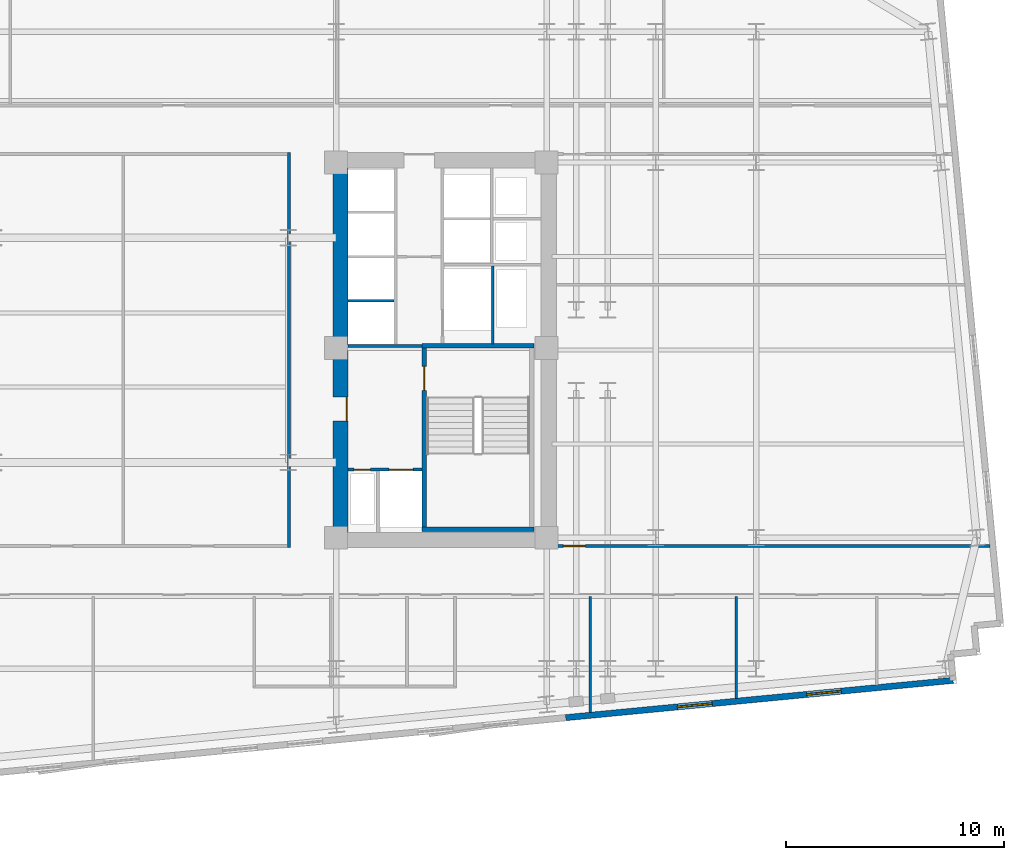
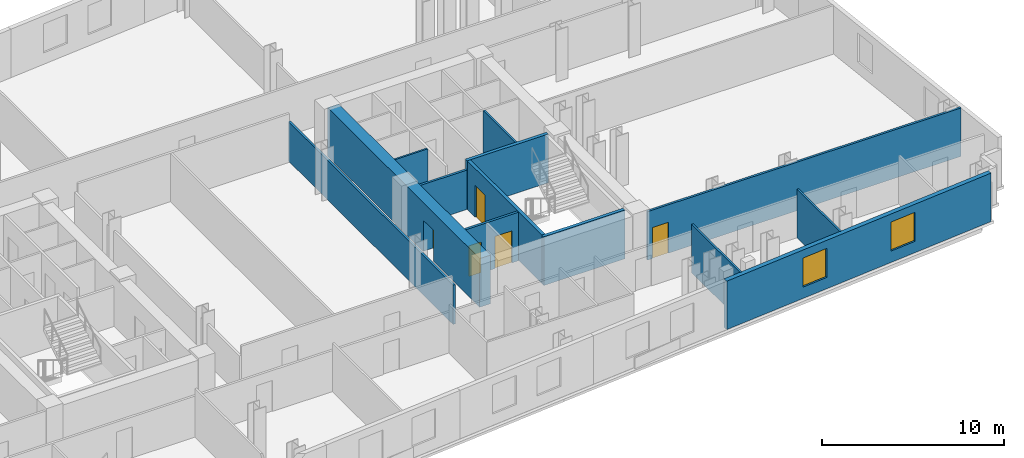
# One storey, part 6 of 10: 13 walls, 5 doors, 2 windows, 7 openings.
"""IFC4 building model written with IfcOpenShell, lengths in metres."""

from ifc_helpers import new_model, si_unit, direction, frame, frame_2d, origin, place, context, subcontext, project, spatial, rectangle, extrude, material, layer, layer_set, type_object, element, fill, save


model = new_model("IFC4")

# Units and contexts
model_context = context("Model", 3, precision=1e-05, world=origin(), true_north=direction((0.0, 1.0)))
body_context = subcontext(model_context, "Body", "Model", "MODEL_VIEW")
ifc_project = project(units=[si_unit("LENGTHUNIT", "METRE"), si_unit("AREAUNIT", "SQUARE_METRE"), si_unit("VOLUMEUNIT", "CUBIC_METRE"), si_unit("PLANEANGLEUNIT", "RADIAN"), si_unit("MASSUNIT", "GRAM", prefix="KILO")], contexts=[model_context])

# Site, building, storey
site_placement = place(None, origin())
site = spatial("IfcSite", under=ifc_project, at=site_placement, CompositionType="ELEMENT")
building_placement = place(site_placement, origin())
building = spatial("IfcBuilding", under=site, at=building_placement, Name="Velakula Bourse", CompositionType="ELEMENT")
storey_placement = place(building_placement, frame((0.0, 0.0, 91.449951171875)))
storey = spatial("IfcBuildingStorey", under=building, at=storey_placement, Name="L24", CompositionType="ELEMENT", Elevation=91.449951171875)

# Wall, opening, door
ifc_material_1 = material(Name="Concrete M50 (fck 50 MPa)", Category="concrete")
ifc_layer_1 = layer(ifc_material_1, 0.2099609375, Name="Concrete M50 (fck 50 MPa)", Category="concrete")
ifc_layer_set_1 = layer_set([ifc_layer_1], Name="Concrete M50 (fck 50 MPa)")
wall_type_1 = type_object("IfcWallType", Name="WL-CORE-210", PredefinedType="SHEAR", material=ifc_layer_set_1)
wall_1_placement = place(storey_placement, frame((12.9951171875, -8.10009765625, 0.0), z_axis=(0.0, 0.0, 1.0), x_axis=(0.0, 1.0, 0.0)))
wall_1 = element("IfcWall", 1, at=wall_1_placement, inside=storey, type_object=wall_type_1, Name="L24 Core E Stairwell Shear Wall IN", PredefinedType="SHEAR", context=body_context, shape_type="SweptSolid", body=[
    extrude(rectangle(XDim=8.2001953125, YDim=0.2099609375, at=frame_2d((4.10009765625, 0.0))), origin(), (0.0, 0.0, 1.0), 3.27001953125),
])
opening_1_placement = place(wall_1_placement, frame((6.25, 0.0, 0.0)))
opening_1 = element("IfcOpeningElement", 2, at=opening_1_placement, cuts=wall_1, Name="Opening D-STE1", PredefinedType="OPENING", context=body_context, shape_type="SweptSolid", body=[
    extrude(rectangle(XDim=1.10009765625, YDim=2.14990234375, at=frame_2d((0.550048828125, 1.074951171875))), frame((0.0, 0.114990234375, 0.0), z_axis=(0.0, -1.0, 0.0), x_axis=(1.0, 0.0, 0.0)), (0.0, 0.0, 1.0), 0.22998046875),
])
ifc_material_2 = material(Name="Galvanised painted hollow steel fire door", Category="steel")
door_type_1 = type_object("IfcDoorType", Name="DR-FD120-1100x2150", OperationType="NOTDEFINED", PredefinedType="DOOR", material=ifc_material_2)
door_1_placement = place(opening_1_placement, origin())
door_1 = element("IfcDoor", 3, at=door_1_placement, inside=storey, type_object=door_type_1, Name="L24 Stair ST-E1 Fire Door", OperationType="SINGLE_SWING_RIGHT", OverallHeight=2.14990234375, OverallWidth=1.10009765625, PredefinedType="DOOR", context=body_context, shape_type="SweptSolid", body=[
    extrude(rectangle(XDim=1.10009765625, YDim=2.14990234375, at=frame_2d((0.550048828125, 1.074951171875))), frame((0.0, 0.02490234375, 0.0), z_axis=(0.0, -1.0, 0.0), x_axis=(1.0, 0.0, 0.0)), (0.0, 0.0, 1.0), 0.050048828125),
])
fill(opening_1, door_1)

# Walls
for number, where, z_axis, x_axis, name in (
    (4, (12.889892578125, -8.205078125, 0.0), (0.0, 0.0, 1.0), (1.0, 0.0, 0.0), "L24 Core E Stairwell Shear Wall S"),
    (5, (18.030029296875, 0.205078125, 0.0), (0.0, 0.0, 1.0), (-1.0, 0.0, 0.0), "L24 Core E Stairwell Shear Wall N"),
):
    element("IfcWall", number, at=place(storey_placement, frame(where, z_axis=z_axis, x_axis=x_axis)), inside=storey, type_object=wall_type_1, Name=name, PredefinedType="SHEAR", context=body_context, shape_type="SweptSolid", body=[
        extrude(rectangle(XDim=5.14013671875, YDim=0.2099609375, at=frame_2d((2.570068359375, 0.0))), origin(), (0.0, 0.0, 1.0), 3.27001953125),
    ])

# Wall, opening, door
ifc_material_3 = material(Name="Concrete M70 (fck 70 MPa)", Category="concrete")
ifc_layer_2 = layer(ifc_material_3, 0.699951171875, Name="Concrete M70 (fck 70 MPa)", Category="concrete")
ifc_layer_set_2 = layer_set([ifc_layer_2], Name="Concrete M70 (fck 70 MPa)")
wall_type_2 = type_object("IfcWallType", Name="WL-CORE-700", PredefinedType="SHEAR", material=ifc_layer_set_2)
wall_2_placement = place(storey_placement, frame((9.14990234375, -8.35009765625, 0.0), z_axis=(0.0, 0.0, 1.0), x_axis=(0.0, 1.0, 0.0)))
wall_2 = element("IfcWall", 6, at=wall_2_placement, inside=storey, type_object=wall_type_2, Name="L24 Core E Shear Wall W", PredefinedType="SHEAR", context=body_context, shape_type="SweptSolid", body=[
    extrude(rectangle(XDim=16.7001953125, YDim=0.699951171875, at=frame_2d((8.35009765625, 0.0))), origin(), (0.0, 0.0, 1.0), 3.27001953125),
])
opening_2_placement = place(wall_2_placement, frame((5.10009765625, 0.0, 0.0)))
opening_2 = element("IfcOpeningElement", 7, at=opening_2_placement, cuts=wall_2, Name="Opening D-FLE", PredefinedType="OPENING", context=body_context, shape_type="SweptSolid", body=[
    extrude(rectangle(XDim=1.10009765625, YDim=2.080078125, at=frame_2d((0.550048828125, 1.0400390625))), frame((0.0, 0.35986328125, 0.0), z_axis=(0.0, -1.0, 0.0), x_axis=(1.0, 0.0, 0.0)), (0.0, 0.0, 1.0), 0.719970703125),
])
door_type_2 = type_object("IfcDoorType", Name="DR-FD120-1100", OperationType="NOTDEFINED", PredefinedType="DOOR", material=ifc_material_2)
door_2_placement = place(opening_2_placement, origin())
door_2 = element("IfcDoor", 8, at=door_2_placement, inside=storey, type_object=door_type_2, Name="L24 Firefighting Lobby E Corridor Fire Door", OperationType="SINGLE_SWING_RIGHT", OverallHeight=2.080078125, OverallWidth=1.10009765625, PredefinedType="DOOR", context=body_context, shape_type="SweptSolid", body=[
    extrude(rectangle(XDim=1.10009765625, YDim=2.080078125, at=frame_2d((0.550048828125, 1.0400390625))), frame((0.0, -0.2548828125, 0.0), z_axis=(0.0, -1.0, 0.0), x_axis=(1.0, 0.0, 0.0)), (0.0, 0.0, 1.0), 0.050048828125),
])
fill(opening_2, door_2)

# Wall, openings, windows
ifc_material_4 = material(Name="Red kilned clay facing brick masonry", Category="masonry")
ifc_layer_3 = layer(ifc_material_4, 0.280029296875, Name="Red kilned clay facing brick masonry", Category="masonry")
ifc_layer_set_3 = layer_set([ifc_layer_3], Name="Red kilned clay facing brick masonry")
wall_type_3 = type_object("IfcWallType", Name="WL-EXT-BRK-280", PredefinedType="STANDARD", material=ifc_layer_set_3)
wall_3_placement = place(storey_placement, frame((37.2314453125, -15.138427734375, 0.0), z_axis=(0.0, 0.0, 1.0), x_axis=(-0.995395780835, -0.095850088663, 0.0)))
wall_3 = element("IfcWall", 9, at=wall_3_placement, inside=storey, type_object=wall_type_3, Name="L24 S Brick Spandrel Wall B5", PredefinedType="STANDARD", context=body_context, shape_type="SweptSolid", body=[
    extrude(rectangle(XDim=17.83984375, YDim=0.280029296875, at=frame_2d((8.919921875, 0.0))), origin(), (0.0, 0.0, 1.0), 3.25),
])
opening_3_placement = place(wall_3_placement, frame((5.146728515625, 0.0, 0.760009765625)))
opening_3 = element("IfcOpeningElement", 10, at=opening_3_placement, cuts=wall_3, Name="Opening W-02", PredefinedType="OPENING", context=body_context, shape_type="SweptSolid", body=[
    extrude(rectangle(XDim=1.60009765625, YDim=1.949951171875, at=frame_2d((0.800048828125, 0.97509765625))), frame((0.0, 0.14990234375, 0.0), z_axis=(0.0, -1.0, 0.0), x_axis=(1.0, 0.0, 0.0)), (0.0, 0.0, 1.0), 0.300048828125),
])
opening_4_placement = place(wall_3_placement, frame((11.09326171875, 0.0, 0.760009765625)))
opening_4 = element("IfcOpeningElement", 11, at=opening_4_placement, cuts=wall_3, Name="Opening W-02", PredefinedType="OPENING", context=body_context, shape_type="SweptSolid", body=[
    extrude(rectangle(XDim=1.60009765625, YDim=1.949951171875, at=frame_2d((0.800048828125, 0.97509765625))), frame((0.0, 0.14990234375, 0.0), z_axis=(0.0, -1.0, 0.0), x_axis=(1.0, 0.0, 0.0)), (0.0, 0.0, 1.0), 0.300048828125),
])
ifc_material_5 = material(Name="Double-glazed solar-control Low-E glass", Category="glass")
window_type = type_object("IfcWindowType", Name="WIN-TWR-1600x2100", PartitioningType="SINGLE_PANEL", PredefinedType="WINDOW", material=ifc_material_5)
window_1_placement = place(opening_3_placement, origin())
window_1 = element("IfcWindow", 12, at=window_1_placement, inside=storey, type_object=window_type, Name="L24 Deep-Set Recessed Window 1", OverallHeight=1.949951171875, OverallWidth=1.60009765625, PartitioningType="SINGLE_PANEL", PredefinedType="WINDOW", context=body_context, shape_type="SweptSolid", body=[
    extrude(rectangle(XDim=1.60009765625, YDim=1.949951171875, at=frame_2d((0.800048828125, 0.97509765625))), frame((0.0, 0.030029296875, 0.0), z_axis=(0.0, -1.0, 0.0), x_axis=(1.0, 0.0, 0.0)), (0.0, 0.0, 1.0), 0.06005859375),
])
fill(opening_3, window_1)
window_2_placement = place(opening_4_placement, origin())
window_2 = element("IfcWindow", 13, at=window_2_placement, inside=storey, type_object=window_type, Name="L24 Deep-Set Recessed Window 2", OverallHeight=1.949951171875, OverallWidth=1.60009765625, PartitioningType="SINGLE_PANEL", PredefinedType="WINDOW", context=body_context, shape_type="SweptSolid", body=[
    extrude(rectangle(XDim=1.60009765625, YDim=1.949951171875, at=frame_2d((0.800048828125, 0.97509765625))), frame((0.0, 0.030029296875, 0.0), z_axis=(0.0, -1.0, 0.0), x_axis=(1.0, 0.0, 0.0)), (0.0, 0.0, 1.0), 0.06005859375),
])
fill(opening_4, window_2)

# Walls
ifc_material_6 = material(Name="Fire-rated double-layer gypsum drywall partition", Category="gypsum")
ifc_layer_4 = layer(ifc_material_6, 0.1201171875, Name="Fire-rated double-layer gypsum drywall partition", Category="gypsum")
ifc_layer_set_4 = layer_set([ifc_layer_4], Name="Fire-rated double-layer gypsum drywall partition")
wall_type_4 = type_object("IfcWallType", Name="WL-PART-120", PredefinedType="STANDARD", material=ifc_layer_set_4)
wall_4_placement = place(storey_placement, frame((9.5, 2.2548828125, 0.0), z_axis=(0.0, 0.0, 1.0), x_axis=(1.0, 0.0, 0.0)))
element("IfcWall", 14, at=wall_4_placement, inside=storey, type_object=wall_type_4, Name="L24 Interior Partition WL-CRE-L24-BDIV-0", PredefinedType="STANDARD", context=body_context, shape_type="SweptSolid", body=[
    extrude(rectangle(XDim=2.10009765625, YDim=0.110107421875, at=frame_2d((1.050048828125, 0.0))), origin(), (0.0, 0.0, 1.0), 3.25),
])
wall_5_placement = place(storey_placement, frame((16.125, 0.27001953125, 0.0), z_axis=(0.0, 0.0, 1.0), x_axis=(0.0, 1.0, 0.0)))
element("IfcWall", 15, at=wall_5_placement, inside=storey, type_object=wall_type_4, Name="L24 Interior Partition WL-CRE-L24-SVL-E", PredefinedType="STANDARD", context=body_context, shape_type="SweptSolid", body=[
    extrude(rectangle(XDim=3.590087890625, YDim=0.1201171875, at=frame_2d((1.794921875, 0.0))), origin(), (0.0, 0.0, 1.0), 3.25),
])
wall_6_placement = place(storey_placement, frame((20.597900390625, -16.619384765625, 0.0), z_axis=(0.0, 0.0, 1.0), x_axis=(0.0, 1.0, 0.0)))
element("IfcWall", 16, at=wall_6_placement, inside=storey, type_object=wall_type_4, Name="L24 Interior Partition WL-INT-L24-SR-D8", PredefinedType="STANDARD", context=body_context, shape_type="SweptSolid", body=[
    extrude(rectangle(XDim=5.329345703125, YDim=0.1201171875, at=frame_2d((2.66455078125, 0.0))), origin(), (0.0, 0.0, 1.0), 3.25),
])
wall_7_placement = place(storey_placement, frame((27.29296875, -15.974853515625, 0.0), z_axis=(0.0, 0.0, 1.0), x_axis=(0.0, 1.0, 0.0)))
element("IfcWall", 17, at=wall_7_placement, inside=storey, type_object=wall_type_4, Name="L24 Interior Partition WL-INT-L24-SR-D9", PredefinedType="STANDARD", context=body_context, shape_type="SweptSolid", body=[
    extrude(rectangle(XDim=4.684814453125, YDim=0.1201171875, at=frame_2d((2.34228515625, 0.0))), origin(), (0.0, 0.0, 1.0), 3.25),
])

# Wall, opening, door
ifc_layer_5 = layer(ifc_material_6, 0.139892578125, Name="Fire-rated double-layer gypsum drywall partition", Category="gypsum")
ifc_layer_set_5 = layer_set([ifc_layer_5], Name="Fire-rated double-layer gypsum drywall partition")
wall_type_5 = type_object("IfcWallType", Name="WL-PART-140", PredefinedType="STANDARD", material=ifc_layer_set_5)
wall_8_placement = place(storey_placement, frame((19.050048828125, -8.97998046875, 0.0), z_axis=(0.0, 0.0, 1.0), x_axis=(1.0, 0.0, 0.0)))
wall_8 = element("IfcWall", 18, at=wall_8_placement, inside=storey, type_object=wall_type_5, Name="L24 Interior Partition WL-INT-L24-E-SC", PredefinedType="STANDARD", context=body_context, shape_type="SweptSolid", body=[
    extrude(rectangle(XDim=19.87890625, YDim=0.139892578125, at=frame_2d((9.939453125, 0.0))), origin(), (0.0, 0.0, 1.0), 3.25),
])
opening_5_placement = place(wall_8_placement, frame((0.320068359375, 0.0, 0.0)))
opening_5 = element("IfcOpeningElement", 19, at=opening_5_placement, cuts=wall_8, Name="Opening D-OF1", PredefinedType="OPENING", context=body_context, shape_type="SweptSolid", body=[
    extrude(rectangle(XDim=1.0, YDim=2.080078125, at=frame_2d((0.5, 1.0400390625))), frame((0.0, 0.079833984375, 0.0), z_axis=(0.0, -1.0, 0.0), x_axis=(1.0, 0.0, 0.0)), (0.0, 0.0, 1.0), 0.159912109375),
])
ifc_material_7 = material(Name="Fire-rated hardwood flush architectural door", Category="wood")
door_type_3 = type_object("IfcDoorType", Name="DR-OFF-1000", OperationType="NOTDEFINED", PredefinedType="DOOR", material=ifc_material_7)
door_3_placement = place(opening_5_placement, origin())
door_3 = element("IfcDoor", 20, at=door_3_placement, inside=storey, type_object=door_type_3, Name="L24 Central Depository Workspace Door", OperationType="SINGLE_SWING_RIGHT", OverallHeight=2.080078125, OverallWidth=1.0, PredefinedType="DOOR", context=body_context, shape_type="SweptSolid", body=[
    extrude(rectangle(XDim=1.0, YDim=2.080078125, at=frame_2d((0.5, 1.0400390625))), frame((0.0, 0.02490234375, 0.0), z_axis=(0.0, -1.0, 0.0), x_axis=(1.0, 0.0, 0.0)), (0.0, 0.0, 1.0), 0.050048828125),
])
fill(opening_5, door_3)

# Wall
wall_9_placement = place(storey_placement, frame((6.780029296875, -9.050048828125, 0.0), z_axis=(0.0, 0.0, 1.0), x_axis=(0.0, 1.0, 0.0)))
element("IfcWall", 21, at=wall_9_placement, inside=storey, type_object=wall_type_5, Name="L24 Interior Partition WL-INT-L24-MID-E", PredefinedType="STANDARD", context=body_context, shape_type="SweptSolid", body=[
    extrude(rectangle(XDim=18.10009765625, YDim=0.139892578125, at=frame_2d((9.050048828125, 0.0))), origin(), (0.0, 0.0, 1.0), 2.64501953125),
])

# Wall, openings, doors
ifc_material_8 = material(Name="Autoclaved aerated concrete blockwork masonry", Category="masonry")
ifc_layer_6 = layer(ifc_material_8, 0.14990234375, Name="Autoclaved aerated concrete blockwork masonry", Category="masonry")
ifc_layer_set_6 = layer_set([ifc_layer_6], Name="Autoclaved aerated concrete blockwork masonry")
wall_type_6 = type_object("IfcWallType", Name="WL-SHAFT-150", PredefinedType="STANDARD", material=ifc_layer_set_6)
wall_10_placement = place(storey_placement, frame((9.5, -5.47509765625, 0.0), z_axis=(0.0, 0.0, 1.0), x_axis=(1.0, 0.0, 0.0)))
wall_10 = element("IfcWall", 22, at=wall_10_placement, inside=storey, type_object=wall_type_6, Name="L24 Interior Partition WL-CRE-L24-FFL-N", PredefinedType="STANDARD", context=body_context, shape_type="SweptSolid", body=[
    extrude(rectangle(XDim=3.39501953125, YDim=0.14990234375, at=frame_2d((1.697509765625, 0.0))), origin(), (0.0, 0.0, 1.0), 3.25),
])
opening_6_placement = place(wall_10_placement, frame((1.875, 0.0, 0.0)))
opening_6 = element("IfcOpeningElement", 23, at=opening_6_placement, cuts=wall_10, Name="Opening LD-FFL-2", PredefinedType="OPENING", context=body_context, shape_type="SweptSolid", body=[
    extrude(rectangle(XDim=1.10009765625, YDim=2.14990234375, at=frame_2d((0.550048828125, 1.074951171875))), frame((0.0, 0.0849609375, 0.0), z_axis=(0.0, -1.0, 0.0), x_axis=(1.0, 0.0, 0.0)), (0.0, 0.0, 1.0), 0.169921875),
])
opening_7_placement = place(wall_10_placement, frame((0.27490234375, 0.0, 0.0)))
opening_7 = element("IfcOpeningElement", 24, at=opening_7_placement, cuts=wall_10, Name="Opening D-RS1", PredefinedType="OPENING", context=body_context, shape_type="SweptSolid", body=[
    extrude(rectangle(XDim=0.75, YDim=2.050048828125, at=frame_2d((0.375, 1.02490234375))), frame((0.0, 0.0849609375, 0.0), z_axis=(0.0, -1.0, 0.0), x_axis=(1.0, 0.0, 0.0)), (0.0, 0.0, 1.0), 0.169921875),
])
door_type_4 = type_object("IfcDoorType", Name="DR-RISER-800", OperationType="NOTDEFINED", PredefinedType="DOOR", material=ifc_material_2)
door_4_placement = place(opening_7_placement, origin())
door_4 = element("IfcDoor", 25, at=door_4_placement, inside=storey, type_object=door_type_4, Name="L24 Fire Riser Access Door", OperationType="SINGLE_SWING_LEFT", OverallHeight=2.050048828125, OverallWidth=0.75, PredefinedType="DOOR", context=body_context, shape_type="SweptSolid", body=[
    extrude(rectangle(XDim=0.75, YDim=2.050048828125, at=frame_2d((0.375, 1.02490234375))), frame((0.0, 0.02490234375, 0.0), z_axis=(0.0, -1.0, 0.0), x_axis=(1.0, 0.0, 0.0)), (0.0, 0.0, 1.0), 0.050048828125),
])
fill(opening_7, door_4)
ifc_material_9 = material(Name="Brushed grade 316 stainless steel", Category="steel")
door_type_5 = type_object("IfcDoorType", Name="DR-SLIDE-FFL-1100", OperationType="DOUBLE_DOOR_SLIDING", PredefinedType="DOOR", material=ifc_material_9)
door_5_placement = place(opening_6_placement, origin())
door_5 = element("IfcDoor", 26, at=door_5_placement, inside=storey, type_object=door_type_5, Name="L24 Firefighting Lift FFL-2 Sliding Landing Door", OperationType="DOUBLE_DOOR_SLIDING", OverallHeight=2.14990234375, OverallWidth=1.10009765625, PredefinedType="DOOR", context=body_context, shape_type="SweptSolid", body=[
    extrude(rectangle(XDim=1.10009765625, YDim=2.14990234375, at=frame_2d((0.550048828125, 1.074951171875))), frame((0.0, 0.02490234375, 0.0), z_axis=(0.0, -1.0, 0.0), x_axis=(1.0, 0.0, 0.0)), (0.0, 0.0, 1.0), 0.050048828125),
])
fill(opening_6, door_5)

# Wall
wall_11_placement = place(storey_placement, frame((9.5, 0.18994140625, 0.0), z_axis=(0.0, 0.0, 1.0), x_axis=(1.0, 0.0, 0.0)))
element("IfcWall", 27, at=wall_11_placement, inside=storey, type_object=wall_type_6, Name="L24 Interior Partition WL-CRE-L24-FF-TOP", PredefinedType="STANDARD", context=body_context, shape_type="SweptSolid", body=[
    extrude(rectangle(XDim=3.389892578125, YDim=0.14990234375, at=frame_2d((1.69482421875, 0.0))), origin(), (0.0, 0.0, 1.0), 2.64501953125),
])

save(model, "model.ifc")
